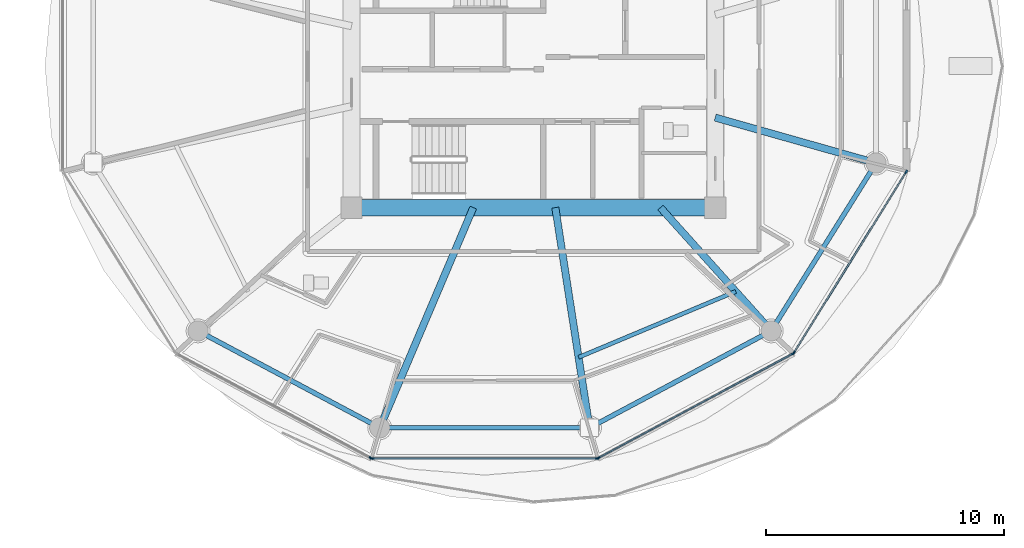
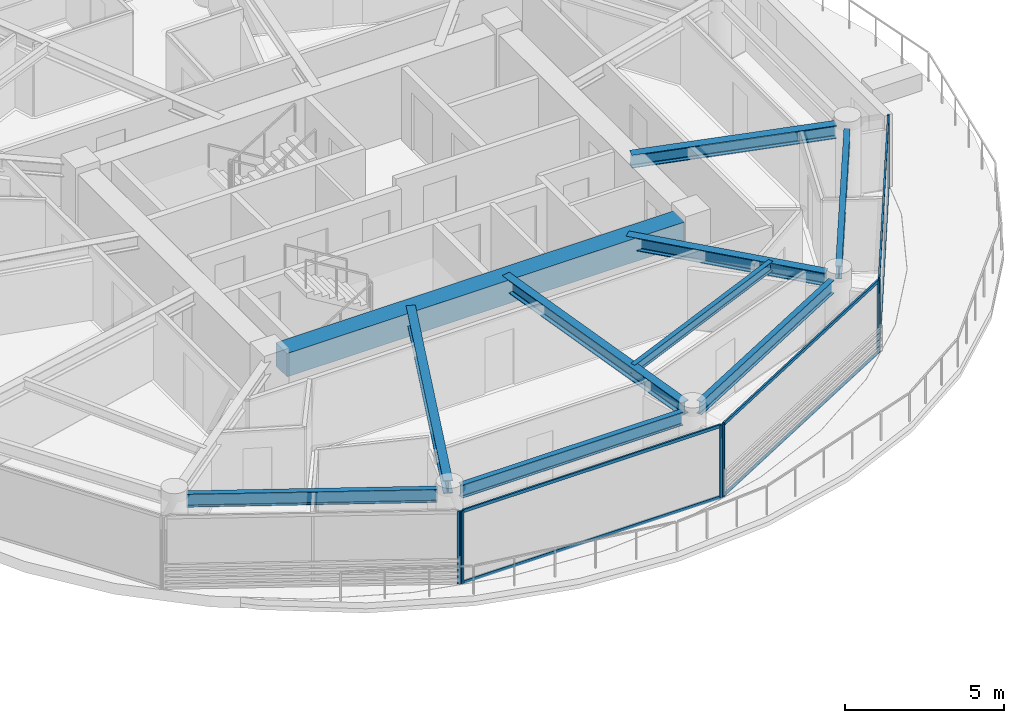
# One storey, part 10 of 32: 13 members, 10 beams, 4 elements without a shape of their own.
"""IFC4 building model written with IfcOpenShell, lengths in metres."""

from ifc_helpers import new_model, si_unit, direction, frame, origin, origin_2d, place, context, subcontext, project, spatial, rectangle, i_section, extrude, source, transform, mapped, material, layer, layer_set, material_profile, profile_set, type_object, type_shapes, element, aggregate, save


model = new_model("IFC4")

# Units and contexts
model_context = context("Model", 3, precision=1e-05, world=origin(), true_north=direction((0.0, 1.0)))
body_context = subcontext(model_context, "Body", "Model", "MODEL_VIEW")
ifc_project = project(units=[si_unit("LENGTHUNIT", "METRE"), si_unit("AREAUNIT", "SQUARE_METRE"), si_unit("VOLUMEUNIT", "CUBIC_METRE"), si_unit("PLANEANGLEUNIT", "RADIAN"), si_unit("MASSUNIT", "GRAM", prefix="KILO")], contexts=[model_context])

# Site, building, storey
site_placement = place(None, origin())
site = spatial("IfcSite", under=ifc_project, at=site_placement, CompositionType="ELEMENT")
building_placement = place(site_placement, origin())
building = spatial("IfcBuilding", under=site, at=building_placement, Name="Norrkilde Senior Care Towers", CompositionType="ELEMENT")
storey_placement = place(building_placement, frame((0.0, 0.0, 77.949951171875)))
storey = spatial("IfcBuildingStorey", under=building, at=storey_placement, Name="L23", CompositionType="ELEMENT", Elevation=77.949951171875)

# Beams
ifc_material_1 = material(Name="Concrete C60/75", Category="concrete")
ifc_material_profile_1 = material_profile(ifc_material_1, rectangle(XDim=0.699951171875, YDim=0.89990234375, at=origin_2d()), Name="RC BM 700x900")
ifc_profile_set_1 = profile_set([ifc_material_profile_1], Name="Concrete C60/75")
beam_type_1 = type_object("IfcBeamType", Name="Core Coupling Girder 700x900", PredefinedType="USERDEFINED", material=ifc_profile_set_1)
shared_shape_1 = source(origin(), body_context, "Body", "SweptSolid", [
    extrude(rectangle(XDim=0.699951171875, YDim=0.89990234375, at=origin_2d()), origin(), (0.0, 0.0, 1.0), 14.43994140625),
])
type_shapes(beam_type_1, [shared_shape_1])
beam_1_placement = place(storey_placement, frame((20.780029296875, -5.949951171875, 2.340087890625), z_axis=(1.0, 0.0, 0.0), x_axis=(0.0, 1.0, 0.0)))
element("IfcBeam", 1, at=beam_1_placement, inside=storey, type_object=beam_type_1, Name="L23 Core E S Coupling Girder", ObjectType="GIRDER", PredefinedType="USERDEFINED", context=body_context, shape_type="MappedRepresentation", body=[
    mapped(shared_shape_1, transform((0.0, 0.0, 0.0), x_axis=(1.0, 0.0, 0.0), y_axis=(0.0, 1.0, 0.0), z_axis=(0.0, 0.0, 1.0), scale=1.0)),
])
ifc_material_2 = material(Name="Steel S355", Category="steel")
ifc_material_profile_2 = material_profile(ifc_material_2, i_section(OverallWidth=0.199951171875, OverallDepth=0.5, WebThickness=0.01025390625, FlangeThickness=0.01611328125, FilletRadius=0.02099609375, at=origin_2d()), Name="IPE 500")
ifc_profile_set_2 = profile_set([ifc_material_profile_2], Name="Steel S355")
beam_type_2 = type_object("IfcBeamType", Name="Perimeter Ring Spandrel Z2 IPE500", PredefinedType="SPANDREL", material=ifc_profile_set_2)
shared_shape_2 = source(origin(), body_context, "Body", "SweptSolid", [
    extrude(i_section(OverallWidth=0.199951171875, OverallDepth=0.5, WebThickness=0.01025390625, FlangeThickness=0.01611328125, FilletRadius=0.02099609375, at=origin_2d()), origin(), (0.0, 0.0, 1.0), 7.892333984375),
])
for number, where, z_axis, x_axis, name in (
    (2, (14.233642578125, -11.318115234375, 2.5400390625), (0.882350372282, -0.47059305194, 0.0), (0.47059305194, 0.882350372282, 0.0), "L23 Drum E Perimeter Spandrel 08"),
    (3, (30.70263671875, -15.0322265625, 2.5400390625), (0.882350372282, 0.47059305194, 0.0), (-0.47059305194, 0.882350372282, 0.0), "L23 Drum E Perimeter Spandrel 10"),
):
    element("IfcBeam", number, at=place(storey_placement, frame(where, z_axis=z_axis, x_axis=x_axis)), inside=storey, type_object=beam_type_2, Name=name, PredefinedType="SPANDREL", context=body_context, shape_type="MappedRepresentation", body=[
        mapped(shared_shape_2, transform((0.0, 0.0, 0.0), x_axis=(1.0, 0.0, 0.0), y_axis=(0.0, 1.0, 0.0), z_axis=(0.0, 0.0, 1.0), scale=1.0)),
    ])
shared_shape_3 = source(origin(), body_context, "Body", "SweptSolid", [
    extrude(i_section(OverallWidth=0.199951171875, OverallDepth=0.5, WebThickness=0.01025390625, FlangeThickness=0.01611328125, FilletRadius=0.02099609375, at=origin_2d()), origin(), (0.0, 0.0, 1.0), 8.0556640625),
])
beam_2_placement = place(storey_placement, frame((21.922119140625, -15.21337890625, 2.5400390625), z_axis=(1.0, 0.0, 0.0), x_axis=(0.0, 1.0, 0.0)))
element("IfcBeam", 4, at=beam_2_placement, inside=storey, type_object=beam_type_2, Name="L23 Drum E Perimeter Spandrel 09", PredefinedType="SPANDREL", context=body_context, shape_type="MappedRepresentation", body=[
    mapped(shared_shape_3, transform((0.0, 0.0, 0.0), x_axis=(1.0, 0.0, 0.0), y_axis=(0.0, 1.0, 0.0), z_axis=(0.0, 0.0, 1.0), scale=1.0)),
])
ifc_material_profile_3 = material_profile(ifc_material_2, i_section(OverallWidth=0.300048828125, OverallDepth=0.5, WebThickness=0.014404296875, FlangeThickness=0.028076171875, FilletRadius=0.027099609375, at=origin_2d()), Name="HEB 500")
ifc_profile_set_3 = profile_set([ifc_material_profile_3], Name="Steel S355")
beam_type_3 = type_object("IfcBeamType", Name="Radial Floor Beam Z2 HEB500", PredefinedType="BEAM", material=ifc_profile_set_3)
shared_shape_4 = source(origin(), body_context, "Body", "SweptSolid", [
    extrude(i_section(OverallWidth=0.300048828125, OverallDepth=0.5, WebThickness=0.014404296875, FlangeThickness=0.028076171875, FilletRadius=0.027099609375, at=origin_2d()), origin(), (0.0, 0.0, 1.0), 9.679443359375),
])
beam_3_placement = place(storey_placement, frame((25.472412109375, -5.949951171875, 2.5400390625), z_axis=(-0.390998033479, -0.920391513333, 0.0), x_axis=(0.920391513333, -0.390998033479, 0.0)))
element("IfcBeam", 5, at=beam_3_placement, inside=storey, type_object=beam_type_3, Name="L23 Drum E Radial Floor Beam 09", PredefinedType="BEAM", context=body_context, shape_type="MappedRepresentation", body=[
    mapped(shared_shape_4, transform((0.0, 0.0, 0.0), x_axis=(1.0, 0.0, 0.0), y_axis=(0.0, 1.0, 0.0), z_axis=(0.0, 0.0, 1.0), scale=1.0)),
])
shared_shape_5 = source(origin(), body_context, "Body", "SweptSolid", [
    extrude(i_section(OverallWidth=0.300048828125, OverallDepth=0.5, WebThickness=0.014404296875, FlangeThickness=0.028076171875, FilletRadius=0.027099609375, at=origin_2d()), origin(), (0.0, 0.0, 1.0), 8.989501953125),
])
beam_4_placement = place(storey_placement, frame((28.924072265625, -5.949951171875, 2.5400390625), z_axis=(0.153471298636, -0.988153105796, 0.0), x_axis=(0.988153105796, 0.153471298636, 0.0)))
element("IfcBeam", 6, at=beam_4_placement, inside=storey, type_object=beam_type_3, Name="L23 Drum E Radial Floor Beam 10", PredefinedType="BEAM", context=body_context, shape_type="MappedRepresentation", body=[
    mapped(shared_shape_5, transform((0.0, 0.0, 0.0), x_axis=(1.0, 0.0, 0.0), y_axis=(0.0, 1.0, 0.0), z_axis=(0.0, 0.0, 1.0), scale=1.0)),
])
shared_shape_6 = source(origin(), body_context, "Body", "SweptSolid", [
    extrude(i_section(OverallWidth=0.199951171875, OverallDepth=0.5, WebThickness=0.01025390625, FlangeThickness=0.01611328125, FilletRadius=0.02099609375, at=origin_2d()), origin(), (0.0, 0.0, 1.0), 7.556396484375),
])
type_shapes(beam_type_2, [shared_shape_2, shared_shape_3, shared_shape_6])
beam_5_placement = place(storey_placement, frame((38.210205078125, -10.810546875, 2.5400390625), z_axis=(0.530004748437, 0.847994673706, 0.0), x_axis=(-0.847994673706, 0.530004748437, 0.0)))
element("IfcBeam", 7, at=beam_5_placement, inside=storey, type_object=beam_type_2, Name="L23 Drum E Perimeter Spandrel 11", PredefinedType="SPANDREL", context=body_context, shape_type="MappedRepresentation", body=[
    mapped(shared_shape_6, transform((0.0, 0.0, 0.0), x_axis=(1.0, 0.0, 0.0), y_axis=(0.0, 1.0, 0.0), z_axis=(0.0, 0.0, 1.0), scale=1.0)),
])
shared_shape_7 = source(origin(), body_context, "Body", "SweptSolid", [
    extrude(i_section(OverallWidth=0.300048828125, OverallDepth=0.5, WebThickness=0.014404296875, FlangeThickness=0.028076171875, FilletRadius=0.027099609375, at=origin_2d()), origin(), (0.0, 0.0, 1.0), 6.587890625),
])
beam_6_placement = place(storey_placement, frame((33.345947265625, -5.949951171875, 2.5400390625), z_axis=(0.668315438605, -0.743877997068, 0.0), x_axis=(0.743877997068, 0.668315438605, 0.0)))
element("IfcBeam", 8, at=beam_6_placement, inside=storey, type_object=beam_type_3, Name="L23 Drum E Radial Floor Beam 11", PredefinedType="BEAM", context=body_context, shape_type="MappedRepresentation", body=[
    mapped(shared_shape_7, transform((0.0, 0.0, 0.0), x_axis=(1.0, 0.0, 0.0), y_axis=(0.0, 1.0, 0.0), z_axis=(0.0, 0.0, 1.0), scale=1.0)),
])
shared_shape_8 = source(origin(), body_context, "Body", "SweptSolid", [
    extrude(i_section(OverallWidth=0.300048828125, OverallDepth=0.5, WebThickness=0.014404296875, FlangeThickness=0.028076171875, FilletRadius=0.027099609375, at=origin_2d()), origin(), (0.0, 0.0, 1.0), 6.6494140625),
])
type_shapes(beam_type_3, [shared_shape_4, shared_shape_5, shared_shape_7, shared_shape_8])
beam_7_placement = place(storey_placement, frame((35.64990234375, -2.162841796875, 2.5400390625), z_axis=(0.962289138357, -0.27202870106, 0.0), x_axis=(0.27202870106, 0.962289138357, 0.0)))
element("IfcBeam", 9, at=beam_7_placement, inside=storey, type_object=beam_type_3, Name="L23 Drum E Radial Floor Beam 12", PredefinedType="BEAM", context=body_context, shape_type="MappedRepresentation", body=[
    mapped(shared_shape_8, transform((0.0, 0.0, 0.0), x_axis=(1.0, 0.0, 0.0), y_axis=(0.0, 1.0, 0.0), z_axis=(0.0, 0.0, 1.0), scale=1.0)),
])
ifc_material_profile_4 = material_profile(ifc_material_2, i_section(OverallWidth=0.169921875, OverallDepth=0.360107421875, WebThickness=0.008056640625, FlangeThickness=0.0126953125, FilletRadius=0.01806640625, at=origin_2d()), Name="IPE 360")
ifc_profile_set_4 = profile_set([ifc_material_profile_4], Name="Steel S355")
beam_type_4 = type_object("IfcBeamType", Name="Secondary Floor Joist IPE360", PredefinedType="JOIST", material=ifc_profile_set_4)
shared_shape_9 = source(origin(), body_context, "Body", "SweptSolid", [
    extrude(i_section(OverallWidth=0.169921875, OverallDepth=0.360107421875, WebThickness=0.008056640625, FlangeThickness=0.0126953125, FilletRadius=0.01806640625, at=origin_2d()), origin(), (0.0, 0.0, 1.0), 7.169921875),
])
type_shapes(beam_type_4, [shared_shape_9])
beam_8_placement = place(storey_placement, frame((29.902587890625, -12.2490234375, 2.610107421875), z_axis=(0.922240600393, 0.386616444279, 0.0), x_axis=(-0.386616444279, 0.922240600393, 0.0)))
element("IfcBeam", 10, at=beam_8_placement, inside=storey, type_object=beam_type_4, Name="L23 Drum E Secondary Floor Joist 4", PredefinedType="JOIST", context=body_context, shape_type="MappedRepresentation", body=[
    mapped(shared_shape_9, transform((0.0, 0.0, 0.0), x_axis=(1.0, 0.0, 0.0), y_axis=(0.0, 1.0, 0.0), z_axis=(0.0, 0.0, 1.0), scale=1.0)),
])

# Curtain wall, member
ifc_material_3 = material(Name="Triple Low-E Insulated Glazing", Category="glass")
ifc_layer = layer(ifc_material_3, 0.195068359375)
ifc_layer_set = layer_set([ifc_layer], Name="Triple Low-E Insulated Glazing")
curtain_wall_type = type_object("IfcCurtainWallType", Name="CW3 Zone 2 Assisted Living Curtain Wall", PredefinedType="NOTDEFINED", material=ifc_layer_set)
curtain_wall_1_placement = place(storey_placement, origin())
curtain_wall_1 = element("IfcCurtainWall", 11, at=curtain_wall_1_placement, inside=storey, type_object=curtain_wall_type, Name="L23 Drum E Curtain Wall 07", PredefinedType="NOTDEFINED")
ifc_material_4 = material(Name="Anodised Aluminium", Category="aluminium")
ifc_material_profile_5 = material_profile(ifc_material_4, rectangle(XDim=0.06494140625, YDim=0.159912109375, at=origin_2d()), Name="ALU MULL 65x160")
ifc_profile_set_5 = profile_set([ifc_material_profile_5], Name="Anodised Aluminium")
member_type_1 = type_object("IfcMemberType", Name="Curtain Wall Mullion Z1-Z2 65x160", PredefinedType="MULLION", material=ifc_profile_set_5)
shared_shape_10 = source(origin(), body_context, "Body", "SweptSolid", [
    extrude(rectangle(XDim=0.06494140625, YDim=0.159912109375, at=origin_2d()), origin(), (0.0, 0.0, 1.0), 2.7900390625),
])
type_shapes(member_type_1, [shared_shape_10])
member_1_placement = place(storey_placement, frame((21.164306640625, -16.482666015625, 0.0), z_axis=(0.0, 0.0, 1.0), x_axis=(-0.472769402511, -0.881186184668, 0.0)))
member_1 = element("IfcMember", 12, at=member_1_placement, type_object=member_type_1, Name="CW-3 mullion 1", PredefinedType="MULLION", context=body_context, shape_type="MappedRepresentation", body=[
    mapped(shared_shape_10, transform((0.0, 0.0, 0.0), x_axis=(1.0, 0.0, 0.0), y_axis=(0.0, 1.0, 0.0), z_axis=(0.0, 0.0, 1.0), scale=1.0)),
])
aggregate(curtain_wall_1, [member_1])

# Curtain wall, members
curtain_wall_2_placement = place(storey_placement, origin())
curtain_wall_2 = element("IfcCurtainWall", 13, at=curtain_wall_2_placement, inside=storey, type_object=curtain_wall_type, Name="L23 Drum E Curtain Wall 08", PredefinedType="NOTDEFINED")
member_2_placement = place(storey_placement, frame((30.674560546875, -16.498046875, 0.0), z_axis=(0.0, 0.0, 1.0), x_axis=(0.0, -1.0, 0.0)))
member_2 = element("IfcMember", 14, at=member_2_placement, type_object=member_type_1, Name="CW-3 mullion 1", PredefinedType="MULLION", context=body_context, shape_type="MappedRepresentation", body=[
    mapped(shared_shape_10, transform((0.0, 0.0, 0.0), x_axis=(1.0, 0.0, 0.0), y_axis=(0.0, 1.0, 0.0), z_axis=(0.0, 0.0, 1.0), scale=1.0)),
])
member_3_placement = place(storey_placement, frame((21.225341796875, -16.498046875, 0.0), z_axis=(0.0, 0.0, 1.0), x_axis=(0.0, -1.0, 0.0)))
member_3 = element("IfcMember", 15, at=member_3_placement, type_object=member_type_1, Name="CW-3 mullion 2", PredefinedType="MULLION", context=body_context, shape_type="MappedRepresentation", body=[
    mapped(shared_shape_10, transform((0.0, 0.0, 0.0), x_axis=(1.0, 0.0, 0.0), y_axis=(0.0, 1.0, 0.0), z_axis=(0.0, 0.0, 1.0), scale=1.0)),
])

curtain_wall_3_placement = place(storey_placement, origin())
curtain_wall_3 = element("IfcCurtainWall", 16, at=curtain_wall_3_placement, inside=storey, type_object=curtain_wall_type, Name="L23 Drum E Curtain Wall 09", PredefinedType="NOTDEFINED")
member_4_placement = place(storey_placement, frame((38.91796875, -12.0927734375, 0.0), z_axis=(0.0, 0.0, 1.0), x_axis=(0.472769402511, -0.881186184668, 0.0)))
member_4 = element("IfcMember", 17, at=member_4_placement, type_object=member_type_1, Name="CW-3 mullion 1", PredefinedType="MULLION", context=body_context, shape_type="MappedRepresentation", body=[
    mapped(shared_shape_10, transform((0.0, 0.0, 0.0), x_axis=(1.0, 0.0, 0.0), y_axis=(0.0, 1.0, 0.0), z_axis=(0.0, 0.0, 1.0), scale=1.0)),
])
member_5_placement = place(storey_placement, frame((30.73583984375, -16.482666015625, 0.0), z_axis=(0.0, 0.0, 1.0), x_axis=(0.472769402511, -0.881186184668, 0.0)))
member_5 = element("IfcMember", 18, at=member_5_placement, type_object=member_type_1, Name="CW-3 mullion 2", PredefinedType="MULLION", context=body_context, shape_type="MappedRepresentation", body=[
    mapped(shared_shape_10, transform((0.0, 0.0, 0.0), x_axis=(1.0, 0.0, 0.0), y_axis=(0.0, 1.0, 0.0), z_axis=(0.0, 0.0, 1.0), scale=1.0)),
])

curtain_wall_4_placement = place(storey_placement, origin())
curtain_wall_4 = element("IfcCurtainWall", 19, at=curtain_wall_4_placement, inside=storey, type_object=curtain_wall_type, Name="L23 Drum E Curtain Wall 10", PredefinedType="NOTDEFINED")
member_6_placement = place(storey_placement, frame((43.6865234375, -4.4482421875, 0.0), z_axis=(0.0, 0.0, 1.0), x_axis=(0.849410171862, -0.527733228002, 0.0)))
member_6 = element("IfcMember", 20, at=member_6_placement, type_object=member_type_1, Name="CW-3 mullion 1", PredefinedType="MULLION", context=body_context, shape_type="MappedRepresentation", body=[
    mapped(shared_shape_10, transform((0.0, 0.0, 0.0), x_axis=(1.0, 0.0, 0.0), y_axis=(0.0, 1.0, 0.0), z_axis=(0.0, 0.0, 1.0), scale=1.0)),
])
member_7_placement = place(storey_placement, frame((38.9638671875, -12.0498046875, 0.0), z_axis=(0.0, 0.0, 1.0), x_axis=(0.849410171862, -0.527733228002, 0.0)))
member_7 = element("IfcMember", 21, at=member_7_placement, type_object=member_type_1, Name="CW-3 mullion 2", PredefinedType="MULLION", context=body_context, shape_type="MappedRepresentation", body=[
    mapped(shared_shape_10, transform((0.0, 0.0, 0.0), x_axis=(1.0, 0.0, 0.0), y_axis=(0.0, 1.0, 0.0), z_axis=(0.0, 0.0, 1.0), scale=1.0)),
])
ifc_material_profile_6 = material_profile(ifc_material_4, rectangle(XDim=0.06005859375, YDim=0.1201171875, at=origin_2d()), Name="ALU TRAN 60x120")
ifc_profile_set_6 = profile_set([ifc_material_profile_6], Name="Anodised Aluminium")
member_type_2 = type_object("IfcMemberType", Name="Curtain Wall Transom Typical 60x120", PredefinedType="USERDEFINED", material=ifc_profile_set_6)
shared_shape_11 = source(origin(), body_context, "Body", "SweptSolid", [
    extrude(rectangle(XDim=0.06005859375, YDim=0.1201171875, at=origin_2d()), origin(), (0.0, 0.0, 1.0), 8.88427734375),
])
member_8_placement = place(storey_placement, frame((43.66943359375, -4.475830078125, 0.030029296875), z_axis=(-0.527729466743, -0.849412508697, 0.0), x_axis=(0.849412508697, -0.527729466743, 0.0)))
member_8 = element("IfcMember", 22, at=member_8_placement, type_object=member_type_2, Name="CW-3 transom 1.1", ObjectType="TRANSOM", PredefinedType="USERDEFINED", context=body_context, shape_type="MappedRepresentation", body=[
    mapped(shared_shape_11, transform((0.0, 0.0, 0.0), x_axis=(1.0, 0.0, 0.0), y_axis=(0.0, 1.0, 0.0), z_axis=(0.0, 0.0, 1.0), scale=1.0)),
])
member_9_placement = place(storey_placement, frame((43.66943359375, -4.475830078125, 2.760009765625), z_axis=(-0.527729466743, -0.849412508697, 0.0), x_axis=(0.849412508697, -0.527729466743, 0.0)))
member_9 = element("IfcMember", 23, at=member_9_placement, type_object=member_type_2, Name="CW-3 transom 1.2", ObjectType="TRANSOM", PredefinedType="USERDEFINED", context=body_context, shape_type="MappedRepresentation", body=[
    mapped(shared_shape_11, transform((0.0, 0.0, 0.0), x_axis=(1.0, 0.0, 0.0), y_axis=(0.0, 1.0, 0.0), z_axis=(0.0, 0.0, 1.0), scale=1.0)),
])
aggregate(curtain_wall_4, [member_6, member_7, member_8, member_9])

# Member
shared_shape_12 = source(origin(), body_context, "Body", "SweptSolid", [
    extrude(rectangle(XDim=0.06005859375, YDim=0.1201171875, at=origin_2d()), origin(), (0.0, 0.0, 1.0), 9.220458984375),
])
member_10_placement = place(storey_placement, frame((38.889404296875, -12.108154296875, 0.030029296875), z_axis=(-0.881188517866, -0.472765053681, 0.0), x_axis=(0.472765053681, -0.881188517866, 0.0)))
member_10 = element("IfcMember", 24, at=member_10_placement, type_object=member_type_2, Name="CW-3 transom 1.1", ObjectType="TRANSOM", PredefinedType="USERDEFINED", context=body_context, shape_type="MappedRepresentation", body=[
    mapped(shared_shape_12, transform((0.0, 0.0, 0.0), x_axis=(1.0, 0.0, 0.0), y_axis=(0.0, 1.0, 0.0), z_axis=(0.0, 0.0, 1.0), scale=1.0)),
])

member_11_placement = place(storey_placement, frame((38.889404296875, -12.108154296875, 2.760009765625), z_axis=(-0.881188517866, -0.472765053681, 0.0), x_axis=(0.472765053681, -0.881188517866, 0.0)))
member_11 = element("IfcMember", 25, at=member_11_placement, type_object=member_type_2, Name="CW-3 transom 1.2", ObjectType="TRANSOM", PredefinedType="USERDEFINED", context=body_context, shape_type="MappedRepresentation", body=[
    mapped(shared_shape_12, transform((0.0, 0.0, 0.0), x_axis=(1.0, 0.0, 0.0), y_axis=(0.0, 1.0, 0.0), z_axis=(0.0, 0.0, 1.0), scale=1.0)),
])

aggregate(curtain_wall_3, [member_4, member_5, member_10, member_11])

shared_shape_13 = source(origin(), body_context, "Body", "SweptSolid", [
    extrude(rectangle(XDim=0.06005859375, YDim=0.1201171875, at=origin_2d()), origin(), (0.0, 0.0, 1.0), 9.38427734375),
])
type_shapes(member_type_2, [shared_shape_11, shared_shape_12, shared_shape_13])
member_12_placement = place(storey_placement, frame((30.64208984375, -16.498046875, 0.030029296875), z_axis=(-1.0, 0.0, 0.0), x_axis=(0.0, -1.0, 0.0)))
member_12 = element("IfcMember", 26, at=member_12_placement, type_object=member_type_2, Name="CW-3 transom 1.1", ObjectType="TRANSOM", PredefinedType="USERDEFINED", context=body_context, shape_type="MappedRepresentation", body=[
    mapped(shared_shape_13, transform((0.0, 0.0, 0.0), x_axis=(1.0, 0.0, 0.0), y_axis=(0.0, 1.0, 0.0), z_axis=(0.0, 0.0, 1.0), scale=1.0)),
])

member_13_placement = place(storey_placement, frame((30.64208984375, -16.498046875, 2.760009765625), z_axis=(-1.0, 0.0, 0.0), x_axis=(0.0, -1.0, 0.0)))
member_13 = element("IfcMember", 27, at=member_13_placement, type_object=member_type_2, Name="CW-3 transom 1.2", ObjectType="TRANSOM", PredefinedType="USERDEFINED", context=body_context, shape_type="MappedRepresentation", body=[
    mapped(shared_shape_13, transform((0.0, 0.0, 0.0), x_axis=(1.0, 0.0, 0.0), y_axis=(0.0, 1.0, 0.0), z_axis=(0.0, 0.0, 1.0), scale=1.0)),
])

aggregate(curtain_wall_2, [member_2, member_3, member_12, member_13])

save(model, "model.ifc")
